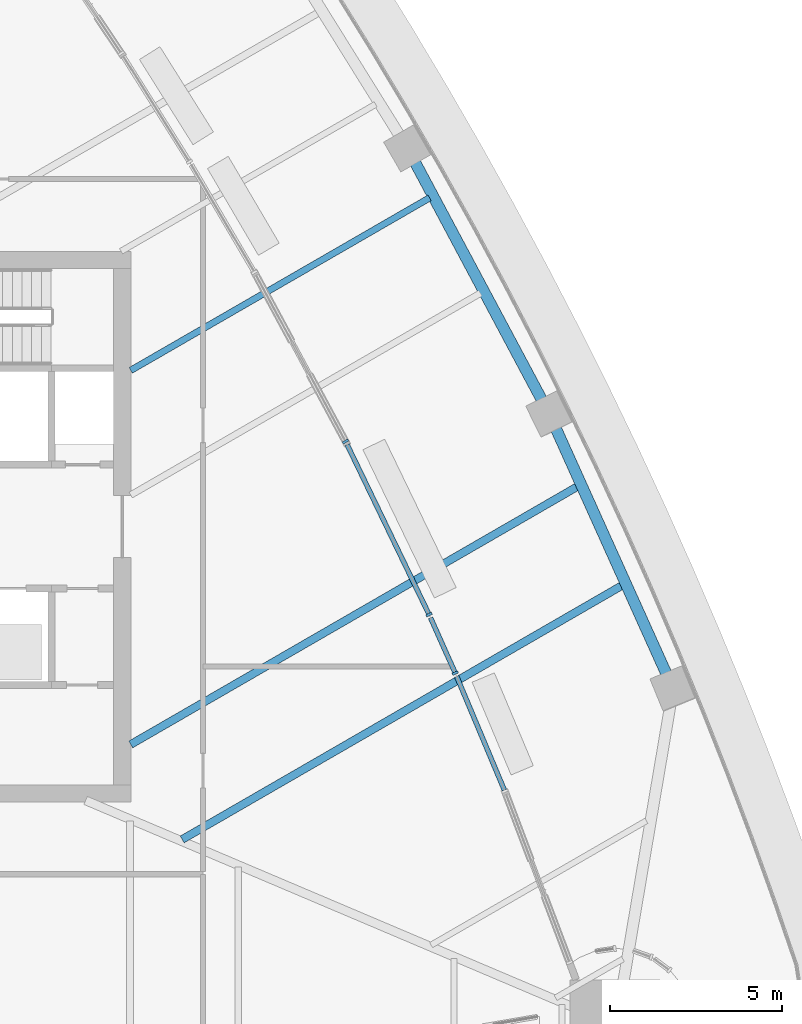
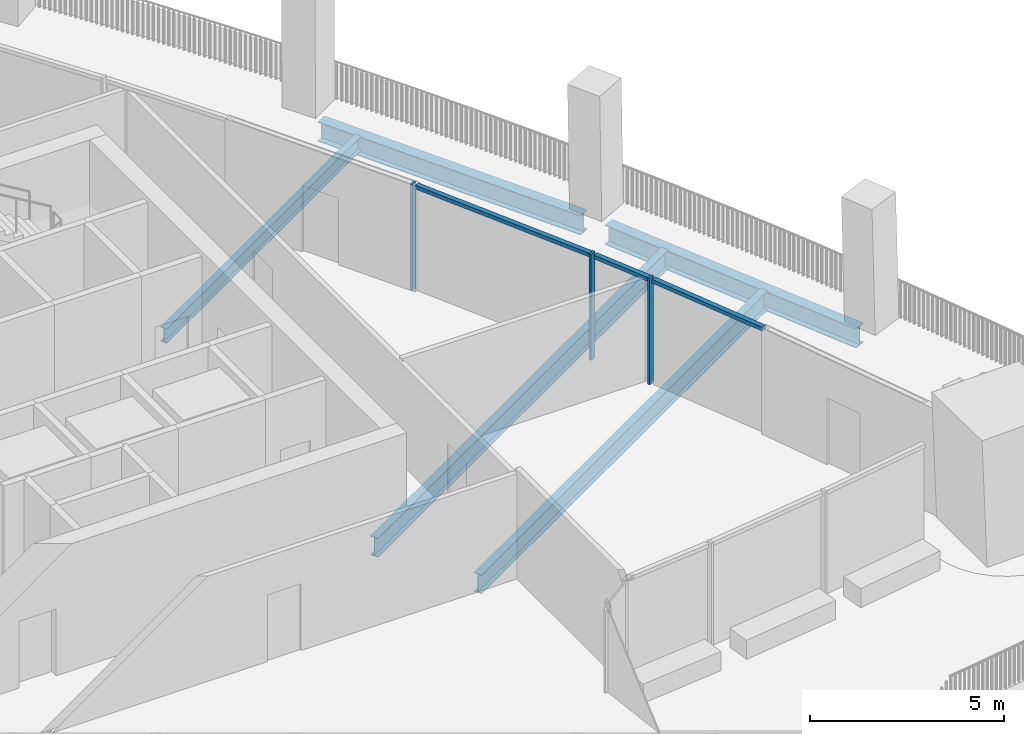
# One storey, part 5 of 20: 6 members, 5 beams, 4 elements without a shape of their own.
"""IFC4 building model written with IfcOpenShell, lengths in metres."""

from ifc_helpers import new_model, si_unit, direction, frame, origin, origin_2d, place, context, subcontext, project, spatial, rectangle, i_section, extrude, material, layer, layer_set, material_profile, profile_set, type_object, element, aggregate, save


model = new_model("IFC4")

# Units and contexts
model_context = context("Model", 3, precision=1e-05, world=origin(), true_north=direction((0.0, 1.0)))
body_context = subcontext(model_context, "Body", "Model", "MODEL_VIEW")
ifc_project = project(units=[si_unit("LENGTHUNIT", "METRE"), si_unit("AREAUNIT", "SQUARE_METRE"), si_unit("VOLUMEUNIT", "CUBIC_METRE"), si_unit("PLANEANGLEUNIT", "RADIAN"), si_unit("MASSUNIT", "GRAM", prefix="KILO")], contexts=[model_context])

# Site, building, storey
site_placement = place(None, origin())
site = spatial("IfcSite", under=ifc_project, at=site_placement, CompositionType="ELEMENT")
building_placement = place(site_placement, origin())
building = spatial("IfcBuilding", under=site, at=building_placement, Name="Sierra Prisma Convention Tower", CompositionType="ELEMENT")
storey_placement = place(building_placement, frame((0.0, 0.0, 125.800048828125)))
storey = spatial("IfcBuildingStorey", under=building, at=storey_placement, Name="L26", CompositionType="ELEMENT", Elevation=125.800048828125)

# Curtain wall, member
ifc_material_1 = material(Name="Aluminium and glass curtain wall", Category="aluminium")
ifc_layer = layer(ifc_material_1, 0.179931640625)
ifc_layer_set = layer_set([ifc_layer], Name="CW-6 Terrace recess curtain wall")
curtain_wall_type = type_object("IfcCurtainWallType", Name="CW-6 Terrace recess curtain wall", PredefinedType="NOTDEFINED", material=ifc_layer_set)
curtain_wall_1_placement = place(storey_placement, origin())
curtain_wall_1 = element("IfcCurtainWall", 1, at=curtain_wall_1_placement, inside=storey, type_object=curtain_wall_type, Name="CW-6 R30 L26", PredefinedType="NOTDEFINED")
ifc_material_2 = material(Name="Aluminium 6063-T6 bronze anodised", Category="aluminium")
ifc_material_profile_1 = material_profile(ifc_material_2, rectangle(XDim=0.179931640625, YDim=0.070068359375, at=origin_2d()), Name="ALU MULLION 70x180")
ifc_profile_set_1 = profile_set([ifc_material_profile_1], Name="Aluminium 6063-T6 bronze anodised")
member_type_1 = type_object("IfcMemberType", Name="CW mullion bronze", PredefinedType="MULLION", material=ifc_profile_set_1)
member_1_placement = place(storey_placement, frame((20.425537109375, -4.25390625, 0.0), z_axis=(0.0, 0.0, 1.0), x_axis=(-0.913252469941, -0.407394067392, 0.0)))
member_1 = element("IfcMember", 2, at=member_1_placement, type_object=member_type_1, Name="CW-6 mullion R30.1", PredefinedType="MULLION", context=body_context, shape_type="SweptSolid", body=[
    extrude(rectangle(XDim=0.179931640625, YDim=0.070068359375, at=origin_2d()), origin(), (0.0, 0.0, 1.0), 3.33984375),
])

curtain_wall_2_placement = place(storey_placement, origin())
curtain_wall_2 = element("IfcCurtainWall", 3, at=curtain_wall_2_placement, inside=storey, type_object=curtain_wall_type, Name="CW-6 R31 L26", PredefinedType="NOTDEFINED")
member_2_placement = place(storey_placement, frame((19.666259765625, -2.554443359375, 0.0), z_axis=(0.0, 0.0, 1.0), x_axis=(-0.900745684288, -0.434346880081, 0.0)))
member_2 = element("IfcMember", 4, at=member_2_placement, type_object=member_type_1, Name="CW-6 mullion R31.1", PredefinedType="MULLION", context=body_context, shape_type="SweptSolid", body=[
    extrude(rectangle(XDim=0.179931640625, YDim=0.070068359375, at=origin_2d()), origin(), (0.0, 0.0, 1.0), 3.33984375),
])

curtain_wall_3_placement = place(storey_placement, origin())
curtain_wall_3 = element("IfcCurtainWall", 5, at=curtain_wall_3_placement, inside=storey, type_object=curtain_wall_type, Name="CW-6 R32 L26", PredefinedType="NOTDEFINED")
member_3_placement = place(storey_placement, frame((17.23974609375, 2.474365234375, 0.0), z_axis=(0.0, 0.0, 1.0), x_axis=(-0.880498064734, -0.474049742116, 0.0)))
member_3 = element("IfcMember", 6, at=member_3_placement, type_object=member_type_1, Name="CW-6 mullion R32.1", PredefinedType="MULLION", context=body_context, shape_type="SweptSolid", body=[
    extrude(rectangle(XDim=0.179931640625, YDim=0.070068359375, at=origin_2d()), origin(), (0.0, 0.0, 1.0), 3.33984375),
])
aggregate(curtain_wall_3, [member_3])

curtain_wall_4_placement = place(storey_placement, origin())
curtain_wall_4 = element("IfcCurtainWall", 7, at=curtain_wall_4_placement, inside=storey, type_object=curtain_wall_type, Name="CW-6 R29 L26", PredefinedType="NOTDEFINED")
ifc_material_3 = material(Name="Aluminium 6063-T6 bronze anodised", Category="aluminium")
ifc_material_profile_2 = material_profile(ifc_material_3, rectangle(XDim=0.139892578125, YDim=0.1201171875, at=origin_2d()), Name="ALU TRANSOM 120x140")
ifc_profile_set_2 = profile_set([ifc_material_profile_2], Name="Aluminium 6063-T6 bronze anodised")
member_type_2 = type_object("IfcMemberType", Name="CW transom bronze", PredefinedType="USERDEFINED", material=ifc_profile_set_2)
member_4_placement = place(storey_placement, frame((21.853271484375, -7.65380859375, 3.280029296875), z_axis=(-0.386941662145, 0.922104196985, 0.0), x_axis=(-0.922104196985, -0.386941662145, 0.0)))
member_4 = element("IfcMember", 8, at=member_4_placement, type_object=member_type_2, Name="CW-6 transom R29.1", ObjectType="TRANSOM", PredefinedType="USERDEFINED", context=body_context, shape_type="SweptSolid", body=[
    extrude(rectangle(XDim=0.139892578125, YDim=0.1201171875, at=origin_2d()), origin(), (0.0, 0.0, 1.0), 3.58251953125),
])
aggregate(curtain_wall_4, [member_4])

# Member
member_5_placement = place(storey_placement, frame((20.411376953125, -4.221923828125, 3.280029296875), z_axis=(-0.407467110243, 0.913219882651, 0.0), x_axis=(-0.913219882651, -0.407467110243, 0.0)))
member_5 = element("IfcMember", 9, at=member_5_placement, type_object=member_type_2, Name="CW-6 transom R30.1", ObjectType="TRANSOM", PredefinedType="USERDEFINED", context=body_context, shape_type="SweptSolid", body=[
    extrude(rectangle(XDim=0.139892578125, YDim=0.1201171875, at=origin_2d()), origin(), (0.0, 0.0, 1.0), 1.721435546875),
])

aggregate(curtain_wall_1, [member_1, member_5])

member_6_placement = place(storey_placement, frame((19.651123046875, -2.522705078125, 3.280029296875), z_axis=(-0.434358967403, 0.900739855583, 0.0), x_axis=(-0.900739855583, -0.434358967403, 0.0)))
member_6 = element("IfcMember", 10, at=member_6_placement, type_object=member_type_2, Name="CW-6 transom R31.1", ObjectType="TRANSOM", PredefinedType="USERDEFINED", context=body_context, shape_type="SweptSolid", body=[
    extrude(rectangle(XDim=0.139892578125, YDim=0.1201171875, at=origin_2d()), origin(), (0.0, 0.0, 1.0), 5.443603515625),
])

aggregate(curtain_wall_2, [member_2, member_6])

# Beams
ifc_material_4 = material(Name="Steel ASTM A992 Gr 50", Category="steel")
ifc_material_profile_3 = material_profile(ifc_material_4, i_section(OverallWidth=0.18994140625, OverallDepth=0.45703125, WebThickness=0.009033203125, FlangeThickness=0.014404296875, at=origin_2d()), Name="W460x74")
ifc_profile_set_3 = profile_set([ifc_material_profile_3], Name="Steel ASTM A992 Gr 50")
beam_type_1 = type_object("IfcBeamType", Name="Floor joist W460x74", PredefinedType="JOIST", material=ifc_profile_set_3)
beam_1_placement = place(storey_placement, frame((19.681640625, 9.552001953125, -0.528564453125), z_axis=(-0.866031473494, -0.499989486807, 0.0), x_axis=(0.499989486807, -0.866031473494, 0.0)))
element("IfcBeam", 11, at=beam_1_placement, inside=storey, type_object=beam_type_1, Name="Floor joist L26 NE08", PredefinedType="JOIST", context=body_context, shape_type="SweptSolid", body=[
    extrude(i_section(OverallWidth=0.18994140625, OverallDepth=0.45703125, WebThickness=0.009033203125, FlangeThickness=0.014404296875, at=origin_2d()), origin(), (0.0, 0.0, 1.0), 10.024658203125),
])
ifc_material_5 = material(Name="Steel ASTM A992 Gr 50", Category="steel")
ifc_material_profile_4 = material_profile(ifc_material_5, i_section(OverallWidth=0.22802734375, OverallDepth=0.60302734375, WebThickness=0.010498046875, FlangeThickness=0.014892578125, at=origin_2d()), Name="W610x101")
ifc_profile_set_4 = profile_set([ifc_material_profile_4], Name="Steel ASTM A992 Gr 50")
beam_type_2 = type_object("IfcBeamType", Name="Floor joist W610x101", PredefinedType="JOIST", material=ifc_profile_set_4)
beam_2_placement = place(storey_placement, frame((25.279052734375, -1.705322265625, -0.6015625), z_axis=(-0.866021185894, -0.500007305529, 0.0), x_axis=(0.500007305529, -0.866021185894, 0.0)))
element("IfcBeam", 12, at=beam_2_placement, inside=storey, type_object=beam_type_2, Name="Floor joist L26 NE04", PredefinedType="JOIST", context=body_context, shape_type="SweptSolid", body=[
    extrude(i_section(OverallWidth=0.22802734375, OverallDepth=0.60302734375, WebThickness=0.010498046875, FlangeThickness=0.014892578125, at=origin_2d()), origin(), (0.0, 0.0, 1.0), 14.763916015625),
])
beam_3_placement = place(storey_placement, frame((23.98388671875, 1.169189453125, -0.6015625), z_axis=(-0.866022879544, -0.500004372088, 0.0), x_axis=(0.500004372088, -0.866022879544, 0.0)))
element("IfcBeam", 13, at=beam_3_placement, inside=storey, type_object=beam_type_2, Name="Floor joist L26 NE05", PredefinedType="JOIST", context=body_context, shape_type="SweptSolid", body=[
    extrude(i_section(OverallWidth=0.22802734375, OverallDepth=0.60302734375, WebThickness=0.010498046875, FlangeThickness=0.014892578125, at=origin_2d()), origin(), (0.0, 0.0, 1.0), 14.992431640625),
])
ifc_material_6 = material(Name="Steel ASTM A992 Gr 50", Category="steel")
ifc_material_profile_5 = material_profile(ifc_material_6, i_section(OverallWidth=0.324951171875, OverallDepth=0.615966796875, WebThickness=0.013916015625, FlangeThickness=0.021484375, at=origin_2d()), Name="W610x174")
ifc_profile_set_5 = profile_set([ifc_material_profile_5], Name="Steel ASTM A992 Gr 50")
beam_type_3 = type_object("IfcBeamType", Name="Spandrel beam W610x174", PredefinedType="BEAM", material=ifc_profile_set_5)
beam_4_placement = place(storey_placement, frame((26.599609375, -4.362060546875, -0.608154296875), z_axis=(-0.410764762698, 0.911741361202, 0.0), x_axis=(-0.911741361202, -0.410764762698, 0.0)))
element("IfcBeam", 14, at=beam_4_placement, inside=storey, type_object=beam_type_3, Name="Spandrel L26-08", PredefinedType="BEAM", context=body_context, shape_type="SweptSolid", body=[
    extrude(i_section(OverallWidth=0.324951171875, OverallDepth=0.615966796875, WebThickness=0.013916015625, FlangeThickness=0.021484375, at=origin_2d()), origin(), (0.0, 0.0, 1.0), 7.99169921875),
])
beam_5_placement = place(storey_placement, frame((22.981689453125, 3.606689453125, -0.608154296875), z_axis=(-0.470786420176, 0.882247213982, 0.0), x_axis=(-0.882247213982, -0.470786420176, 0.0)))
element("IfcBeam", 15, at=beam_5_placement, inside=storey, type_object=beam_type_3, Name="Spandrel L26-09", PredefinedType="BEAM", context=body_context, shape_type="SweptSolid", body=[
    extrude(i_section(OverallWidth=0.324951171875, OverallDepth=0.615966796875, WebThickness=0.013916015625, FlangeThickness=0.021484375, at=origin_2d()), origin(), (0.0, 0.0, 1.0), 7.991943359375),
])

save(model, "model.ifc")
